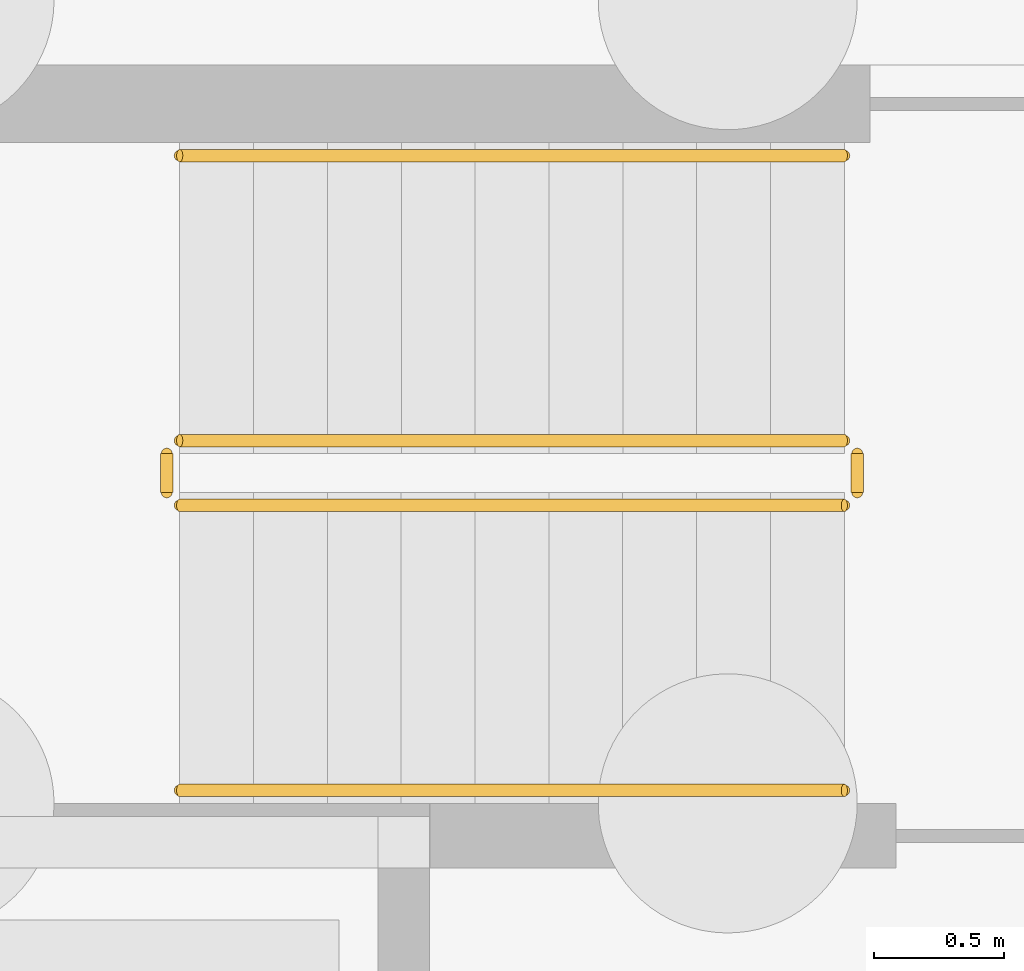
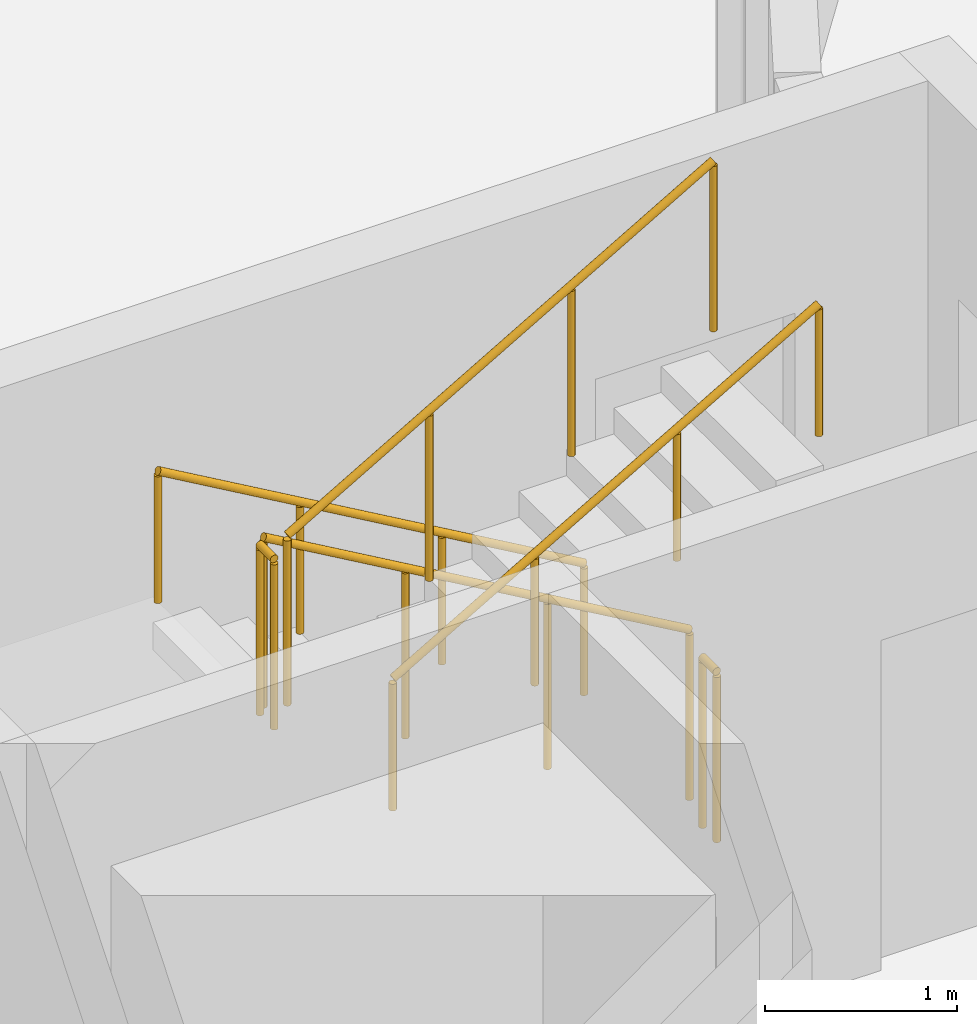
# One storey, part 125 of 130: 6 railings.
"""IFC4 building model written with IfcOpenShell, lengths in metres."""

from ifc_helpers import new_model, si_unit, direction, frame, origin, origin_2d, place, context, subcontext, project, spatial, circle, extrude, material, type_object, element, save


model = new_model("IFC4")

# Units and contexts
model_context = context("Model", 3, precision=1e-05, world=origin(), true_north=direction((0.0, 1.0)))
body_context = subcontext(model_context, "Body", "Model", "MODEL_VIEW")
ifc_project = project(units=[si_unit("LENGTHUNIT", "METRE"), si_unit("AREAUNIT", "SQUARE_METRE"), si_unit("VOLUMEUNIT", "CUBIC_METRE"), si_unit("PLANEANGLEUNIT", "RADIAN"), si_unit("MASSUNIT", "GRAM", prefix="KILO")], contexts=[model_context])

# Site, building, storey
site_placement = place(None, origin())
site = spatial("IfcSite", under=ifc_project, at=site_placement, CompositionType="ELEMENT")
building_placement = place(site_placement, origin())
building = spatial("IfcBuilding", under=site, at=building_placement, Name="Parallax Yard Mobility Hub", CompositionType="ELEMENT")
storey_placement = place(building_placement, origin())
storey = spatial("IfcBuildingStorey", under=building, at=storey_placement, Name="L00", CompositionType="ELEMENT", Elevation=0.0)

# Railings
ifc_material = material(Name="Steel ASTM A36", Category="steel")
railing_type_1 = type_object("IfcRailingType", Name="Stair guard 1100", PredefinedType="GUARDRAIL", material=ifc_material)
railing_1_placement = place(storey_placement, frame((20.10009765625, 133.550048828125, 0.1650390625)))
element("IfcRailing", 1, at=railing_1_placement, inside=storey, type_object=railing_type_1, Name="L00 ST2 stair guard 1", PredefinedType="GUARDRAIL", context=body_context, shape_type="SweptSolid", body=[
    extrude(circle(Radius=0.02392578125, at=origin_2d()), frame((0.0, 0.0, 1.076171875), z_axis=(-0.865461999751, 0.0, 0.500974577186), x_axis=(0.0, -1.0, 0.0)), (0.0, 0.0, 1.0), 2.9638671875),
    extrude(circle(Radius=0.02099609375, at=origin_2d()), origin(), (0.0, 0.0, 1.0), 1.052001953125),
    extrude(circle(Radius=0.02099609375, at=origin_2d()), frame((-0.85498046875, 0.0, 0.494873046875)), (0.0, 0.0, 1.0), 1.052001953125),
    extrude(circle(Radius=0.02099609375, at=origin_2d()), frame((-1.710205078125, 0.0, 0.989990234375)), (0.0, 0.0, 1.0), 1.052001953125),
    extrude(circle(Radius=0.02099609375, at=origin_2d()), frame((-2.565185546875, 0.0, 1.48486328125)), (0.0, 0.0, 1.0), 1.052001953125),
])
railing_2_placement = place(storey_placement, frame((17.485107421875, 133.5, 1.64990234375)))
element("IfcRailing", 2, at=railing_2_placement, inside=storey, type_object=railing_type_1, Name="L00 ST2 stair guard 2", PredefinedType="GUARDRAIL", context=body_context, shape_type="SweptSolid", body=[
    extrude(circle(Radius=0.02392578125, at=origin_2d()), frame((0.0, 0.0, 1.076171875), z_axis=(0.0, -1.0, 0.0), x_axis=(1.0, 0.0, 0.0)), (0.0, 0.0, 1.0), 0.14990234375),
    extrude(circle(Radius=0.02099609375, at=origin_2d()), origin(), (0.0, 0.0, 1.0), 1.052001953125),
    extrude(circle(Radius=0.02099609375, at=origin_2d()), frame((0.0, -0.14990234375, 0.0)), (0.0, 0.0, 1.0), 1.052001953125),
])
railing_3_placement = place(storey_placement, frame((17.534912109375, 133.300048828125, 1.81494140625)))
element("IfcRailing", 3, at=railing_3_placement, inside=storey, type_object=railing_type_1, Name="L00 ST2 stair guard 3", PredefinedType="GUARDRAIL", context=body_context, shape_type="SweptSolid", body=[
    extrude(circle(Radius=0.02392578125, at=origin_2d()), frame((0.0, 0.0, 1.076171875), z_axis=(0.865426285481, 0.0, 0.501036270542), x_axis=(0.0, 1.0, 0.0)), (0.0, 0.0, 1.0), 2.964111328125),
    extrude(circle(Radius=0.02099609375, at=origin_2d()), origin(), (0.0, 0.0, 1.0), 1.052001953125),
    extrude(circle(Radius=0.02099609375, at=origin_2d()), frame((0.85498046875, 0.0, 0.4951171875)), (0.0, 0.0, 1.0), 1.052001953125),
    extrude(circle(Radius=0.02099609375, at=origin_2d()), frame((1.710205078125, 0.0, 0.989990234375)), (0.0, 0.0, 1.0), 1.052001953125),
    extrude(circle(Radius=0.02099609375, at=origin_2d()), frame((2.565185546875, 0.0, 1.485107421875)), (0.0, 0.0, 1.0), 1.052001953125),
])
railing_4_placement = place(storey_placement, frame((20.14990234375, 133.5, 0.0)))
element("IfcRailing", 4, at=railing_4_placement, inside=storey, type_object=railing_type_1, Name="L00 ST2 stair guard 4", PredefinedType="GUARDRAIL", context=body_context, shape_type="SweptSolid", body=[
    extrude(circle(Radius=0.02392578125, at=origin_2d()), frame((0.0, 0.0, 1.076171875), z_axis=(0.0, -1.0, 0.0), x_axis=(1.0, 0.0, 0.0)), (0.0, 0.0, 1.0), 0.14990234375),
    extrude(circle(Radius=0.02099609375, at=origin_2d()), origin(), (0.0, 0.0, 1.0), 1.052001953125),
    extrude(circle(Radius=0.02099609375, at=origin_2d()), frame((0.0, -0.14990234375, 0.0)), (0.0, 0.0, 1.0), 1.052001953125),
])
railing_type_2 = type_object("IfcRailingType", Name="Stair handrail", PredefinedType="HANDRAIL", material=ifc_material)
railing_5_placement = place(storey_placement, frame((20.10009765625, 134.64990234375, 0.1650390625)))
element("IfcRailing", 5, at=railing_5_placement, inside=storey, type_object=railing_type_2, Name="L00 ST2 stair handrail 1", PredefinedType="HANDRAIL", context=body_context, shape_type="SweptSolid", body=[
    extrude(circle(Radius=0.02392578125, at=origin_2d()), frame((0.0, 0.0, 0.8310546875), z_axis=(-0.865461999751, 0.0, 0.500974577186), x_axis=(0.0, -1.0, 0.0)), (0.0, 0.0, 1.0), 2.9638671875),
    extrude(circle(Radius=0.02099609375, at=origin_2d()), origin(), (0.0, 0.0, 1.0), 0.806884765625),
    extrude(circle(Radius=0.02099609375, at=origin_2d()), frame((-0.85498046875, 0.0, 0.494873046875)), (0.0, 0.0, 1.0), 0.806884765625),
    extrude(circle(Radius=0.02099609375, at=origin_2d()), frame((-1.710205078125, 0.0, 0.989990234375)), (0.0, 0.0, 1.0), 0.806884765625),
    extrude(circle(Radius=0.02099609375, at=origin_2d()), frame((-2.565185546875, 0.0, 1.48486328125)), (0.0, 0.0, 1.0), 0.806884765625),
])
railing_6_placement = place(storey_placement, frame((17.534912109375, 132.199951171875, 1.81494140625)))
element("IfcRailing", 6, at=railing_6_placement, inside=storey, type_object=railing_type_2, Name="L00 ST2 stair handrail 2", PredefinedType="HANDRAIL", context=body_context, shape_type="SweptSolid", body=[
    extrude(circle(Radius=0.02392578125, at=origin_2d()), frame((0.0, 0.0, 0.8310546875), z_axis=(0.865426285481, 0.0, 0.501036270542), x_axis=(0.0, 1.0, 0.0)), (0.0, 0.0, 1.0), 2.964111328125),
    extrude(circle(Radius=0.02099609375, at=origin_2d()), origin(), (0.0, 0.0, 1.0), 0.806884765625),
    extrude(circle(Radius=0.02099609375, at=origin_2d()), frame((0.85498046875, 0.0, 0.4951171875)), (0.0, 0.0, 1.0), 0.806884765625),
    extrude(circle(Radius=0.02099609375, at=origin_2d()), frame((1.710205078125, 0.0, 0.989990234375)), (0.0, 0.0, 1.0), 0.806884765625),
    extrude(circle(Radius=0.02099609375, at=origin_2d()), frame((2.565185546875, 0.0, 1.485107421875)), (0.0, 0.0, 1.0), 0.806884765625),
])

save(model, "model.ifc")
